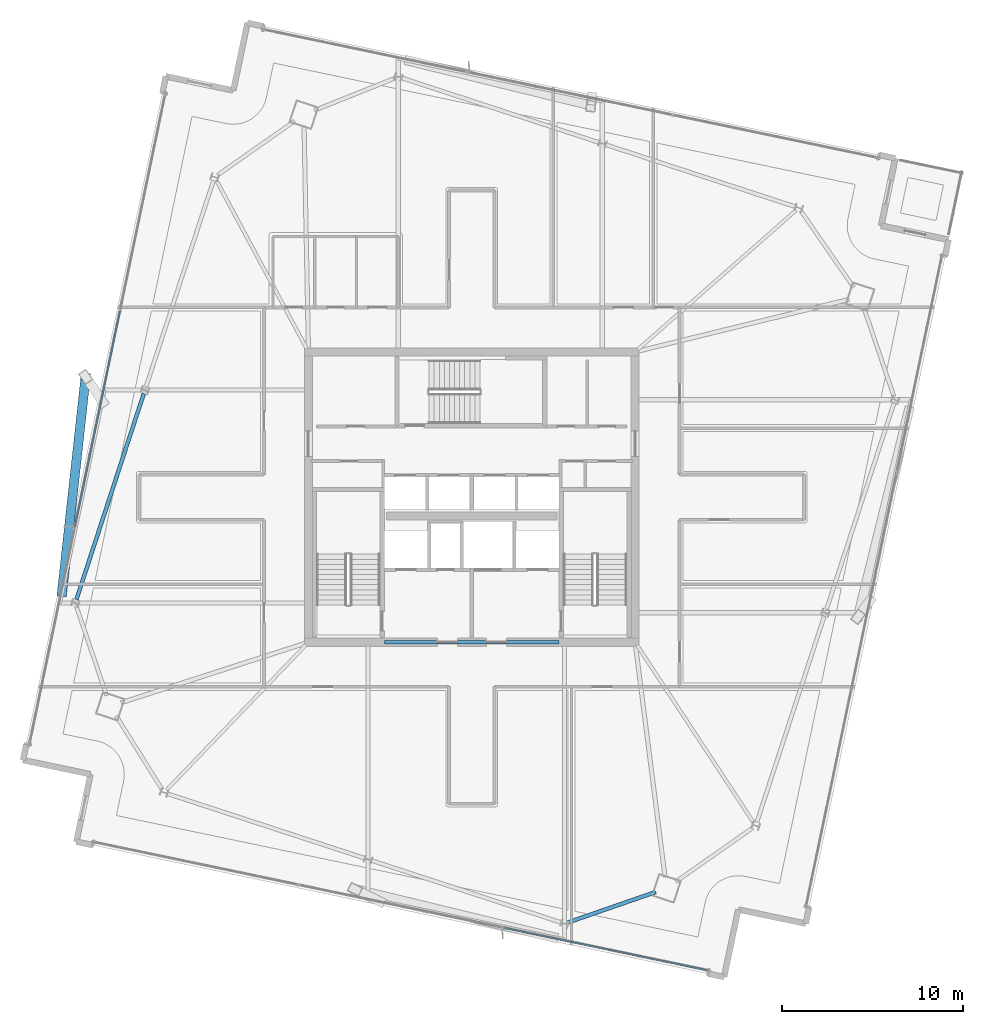
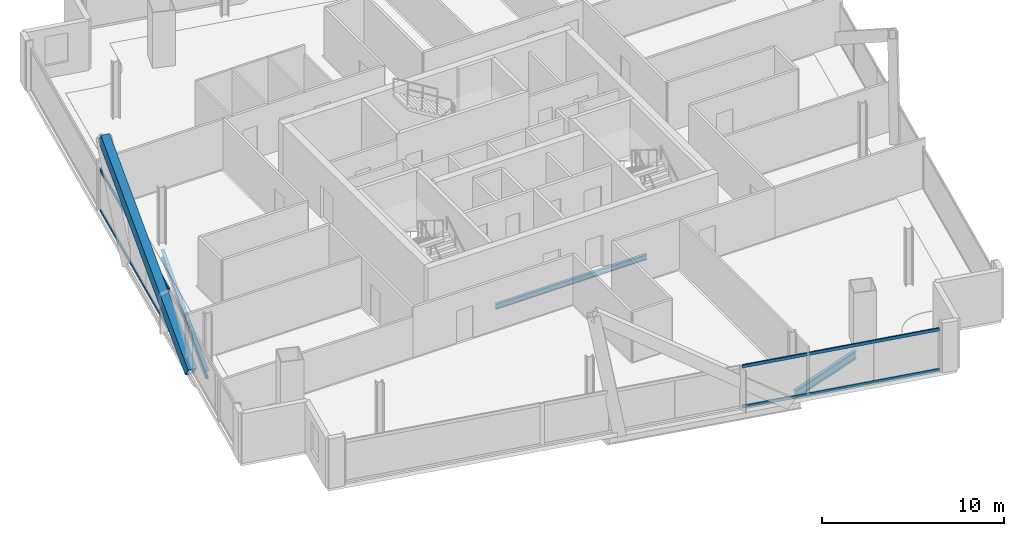
# One storey, part 5 of 24: 5 members, 3 beams, 2 elements without a shape of their own.
"""IFC4 building model written with IfcOpenShell, lengths in metres."""

from ifc_helpers import new_model, si_unit, direction, frame, origin, origin_2d, place, context, subcontext, project, spatial, hollow_rectangle, i_section, extrude, material, material_profile, profile_set, type_object, element, aggregate, save


model = new_model("IFC4")

# Units and contexts
model_context = context("Model", 3, precision=1e-05, world=origin(), true_north=direction((0.0, 1.0)))
body_context = subcontext(model_context, "Body", "Model", "MODEL_VIEW")
ifc_project = project(units=[si_unit("LENGTHUNIT", "METRE"), si_unit("AREAUNIT", "SQUARE_METRE"), si_unit("VOLUMEUNIT", "CUBIC_METRE"), si_unit("PLANEANGLEUNIT", "RADIAN"), si_unit("MASSUNIT", "GRAM", prefix="KILO")], contexts=[model_context])

# Site, building, storey
site_placement = place(None, origin())
site = spatial("IfcSite", under=ifc_project, at=site_placement, CompositionType="ELEMENT")
building_placement = place(site_placement, origin())
building = spatial("IfcBuilding", under=site, at=building_placement, Name="Haldenkirk Collegiate Tower", CompositionType="ELEMENT")
storey_placement = place(building_placement, frame((0.0, 0.0, 289.949951171875)))
storey = spatial("IfcBuildingStorey", under=building, at=storey_placement, Name="L73", CompositionType="ELEMENT", Elevation=289.949951171875)

# Beams
ifc_material_1 = material(Name="Steel ASTM A992 Grade 50", Category="steel")
ifc_material_profile_1 = material_profile(ifc_material_1, i_section(OverallWidth=0.1708984375, OverallDepth=0.35595703125, WebThickness=0.007080078125, FlangeThickness=0.01171875, at=origin_2d()), Name="W14X34")
ifc_profile_set_1 = profile_set([ifc_material_profile_1], Name="Steel ASTM A992 Grade 50")
beam_type_1 = type_object("IfcBeamType", Name="BM-LINTEL-W14X34", PredefinedType="LINTEL", material=ifc_profile_set_1)
beam_1_placement = place(storey_placement, frame((31.199951171875, 18.0, -0.447998046875), z_axis=(1.0, 0.0, 0.0), x_axis=(0.0, 1.0, 0.0)))
element("IfcBeam", 1, at=beam_1_placement, inside=storey, type_object=beam_type_1, Name="L73 south core coupling lintel", PredefinedType="LINTEL", context=body_context, shape_type="SweptSolid", body=[
    extrude(i_section(OverallWidth=0.1708984375, OverallDepth=0.35595703125, WebThickness=0.007080078125, FlangeThickness=0.01171875, at=origin_2d()), origin(), (0.0, 0.0, 1.0), 9.60009765625),
])
ifc_material_profile_2 = material_profile(ifc_material_1, i_section(OverallWidth=0.2099609375, OverallDepth=0.537109375, WebThickness=0.010986328125, FlangeThickness=0.017333984375, at=origin_2d()), Name="W21X68")
ifc_profile_set_2 = profile_set([ifc_material_profile_2], Name="Steel ASTM A992 Grade 50")
beam_type_2 = type_object("IfcBeamType", Name="BM-SPANDREL-W21X68", PredefinedType="SPANDREL", material=ifc_profile_set_2)
beam_2_placement = place(storey_placement, frame((17.9267578125, 31.701171875, -0.538330078125), z_axis=(-0.311010188249, -0.950406577631, 0.0), x_axis=(0.950406577631, -0.311010188249, 0.0)))
element("IfcBeam", 2, at=beam_2_placement, inside=storey, type_object=beam_type_2, Name="L73 perimeter spandrel beam 11", PredefinedType="SPANDREL", context=body_context, shape_type="SweptSolid", body=[
    extrude(i_section(OverallWidth=0.2099609375, OverallDepth=0.537109375, WebThickness=0.010986328125, FlangeThickness=0.017333984375, at=origin_2d()), origin(), (0.0, 0.0, 1.0), 11.94287109375),
])
beam_3_placement = place(storey_placement, frame((41.302490234375, 2.56103515625, -0.538330078125), z_axis=(0.944700169719, 0.327935343221, 0.0), x_axis=(-0.327935343221, 0.944700169719, 0.0)))
element("IfcBeam", 3, at=beam_3_placement, inside=storey, type_object=beam_type_2, Name="L73 perimeter spandrel beam 16", PredefinedType="SPANDREL", context=body_context, shape_type="SweptSolid", body=[
    extrude(i_section(OverallWidth=0.2099609375, OverallDepth=0.537109375, WebThickness=0.010986328125, FlangeThickness=0.017333984375, at=origin_2d()), origin(), (0.0, 0.0, 1.0), 5.113037109375),
])

# Curtain wall, members
ifc_material_2 = material(Name="Anodised architectural bronze aluminium", Category="aluminium")
curtain_wall_type = type_object("IfcCurtainWallType", Name="CW-SYS1B-CONVEX-HI", PredefinedType="USERDEFINED", material=ifc_material_2)
curtain_wall_1_placement = place(storey_placement, origin())
curtain_wall_1 = element("IfcCurtainWall", 4, at=curtain_wall_1_placement, inside=storey, type_object=curtain_wall_type, Name="L73 Upper tower high-wind convex bronze unitised curtain wall", ObjectType="UNITISED CURTAIN WALL", PredefinedType="USERDEFINED")
ifc_material_profile_3 = material_profile(ifc_material_2, hollow_rectangle(XDim=0.0849609375, YDim=0.199951171875, WallThickness=0.0048828125, at=origin_2d()), Name="CW-TRN-1B")
ifc_profile_set_3 = profile_set([ifc_material_profile_3], Name="Anodised architectural bronze aluminium")
member_type_1 = type_object("IfcMemberType", Name="CW-TRN-1B", PredefinedType="USERDEFINED", material=ifc_profile_set_3)
member_1_placement = place(storey_placement, frame((14.133056640625, 24.36279296875, 0.04248046875), z_axis=(0.204503150546, 0.978865905738, 0.0), x_axis=(-0.978865905738, 0.204503150546, 0.0)))
member_1 = element("IfcMember", 5, at=member_1_placement, type_object=member_type_1, Name="CW-1B transom 2.1", ObjectType="TRANSOM", PredefinedType="USERDEFINED", context=body_context, shape_type="SweptSolid", body=[
    extrude(hollow_rectangle(XDim=0.0849609375, YDim=0.199951171875, WallThickness=0.0048828125, at=origin_2d()), origin(), (0.0, 0.0, 1.0), 12.1484375),
])
member_2_placement = place(storey_placement, frame((14.133056640625, 24.36279296875, 2.755615234375), z_axis=(0.204503150546, 0.978865905738, 0.0), x_axis=(-0.978865905738, 0.204503150546, 0.0)))
member_2 = element("IfcMember", 6, at=member_2_placement, type_object=member_type_1, Name="CW-1B transom 2.2", ObjectType="TRANSOM", PredefinedType="USERDEFINED", context=body_context, shape_type="SweptSolid", body=[
    extrude(hollow_rectangle(XDim=0.0849609375, YDim=0.199951171875, WallThickness=0.0048828125, at=origin_2d()), origin(), (0.0, 0.0, 1.0), 12.1484375),
])
aggregate(curtain_wall_1, [member_1, member_2])

curtain_wall_2_placement = place(storey_placement, origin())
curtain_wall_2 = element("IfcCurtainWall", 7, at=curtain_wall_2_placement, inside=storey, type_object=curtain_wall_type, Name="L73 Upper tower high-wind convex bronze unitised curtain wall", ObjectType="UNITISED CURTAIN WALL", PredefinedType="USERDEFINED")
member_3_placement = place(storey_placement, frame((48.98193359375, -0.075927734375, 0.04248046875), z_axis=(-0.978865656096, 0.204504345468, 0.0), x_axis=(-0.204504345468, -0.978865656096, 0.0)))
member_3 = element("IfcMember", 8, at=member_3_placement, type_object=member_type_1, Name="CW-1B transom 1.1", ObjectType="TRANSOM", PredefinedType="USERDEFINED", context=body_context, shape_type="SweptSolid", body=[
    extrude(hollow_rectangle(XDim=0.0849609375, YDim=0.199951171875, WallThickness=0.0048828125, at=origin_2d()), origin(), (0.0, 0.0, 1.0), 11.430908203125),
])
member_4_placement = place(storey_placement, frame((48.98193359375, -0.075927734375, 2.755615234375), z_axis=(-0.978865656096, 0.204504345468, 0.0), x_axis=(-0.204504345468, -0.978865656096, 0.0)))
member_4 = element("IfcMember", 9, at=member_4_placement, type_object=member_type_1, Name="CW-1B transom 1.2", ObjectType="TRANSOM", PredefinedType="USERDEFINED", context=body_context, shape_type="SweptSolid", body=[
    extrude(hollow_rectangle(XDim=0.0849609375, YDim=0.199951171875, WallThickness=0.0048828125, at=origin_2d()), origin(), (0.0, 0.0, 1.0), 11.430908203125),
])
aggregate(curtain_wall_2, [member_3, member_4])

# Member
ifc_material_3 = material(Name="Steel ASTM A572 Grade 50", Category="steel")
ifc_material_profile_4 = material_profile(ifc_material_3, hollow_rectangle(XDim=0.52001953125, YDim=0.719970703125, WallThickness=0.035888671875, at=origin_2d()), Name="BOX720X520X36")
ifc_profile_set_4 = profile_set([ifc_material_profile_4], Name="Steel ASTM A572 Grade 50")
member_type_2 = type_object("IfcMemberType", Name="MBR-MEGABRACE-BOX720X520X36", PredefinedType="BRACE", material=ifc_profile_set_4)
member_5_placement = place(storey_placement, frame((13.418212890625, 20.745361328125, -0.280029296875), z_axis=(0.090219727805, 0.82224975895, 0.561930364566), x_axis=(-0.994034242528, 0.109068440353, 0.0)))
element("IfcMember", 10, at=member_5_placement, inside=storey, type_object=member_type_2, Name="Perimeter Mega Brace Z5 L73-L74 NR", PredefinedType="BRACE", context=body_context, shape_type="SweptSolid", body=[
    extrude(hollow_rectangle(XDim=0.52001953125, YDim=0.719970703125, WallThickness=0.035888671875, at=origin_2d()), origin(), (0.0, 0.0, 1.0), 14.450439453125),
])

save(model, "model.ifc")
